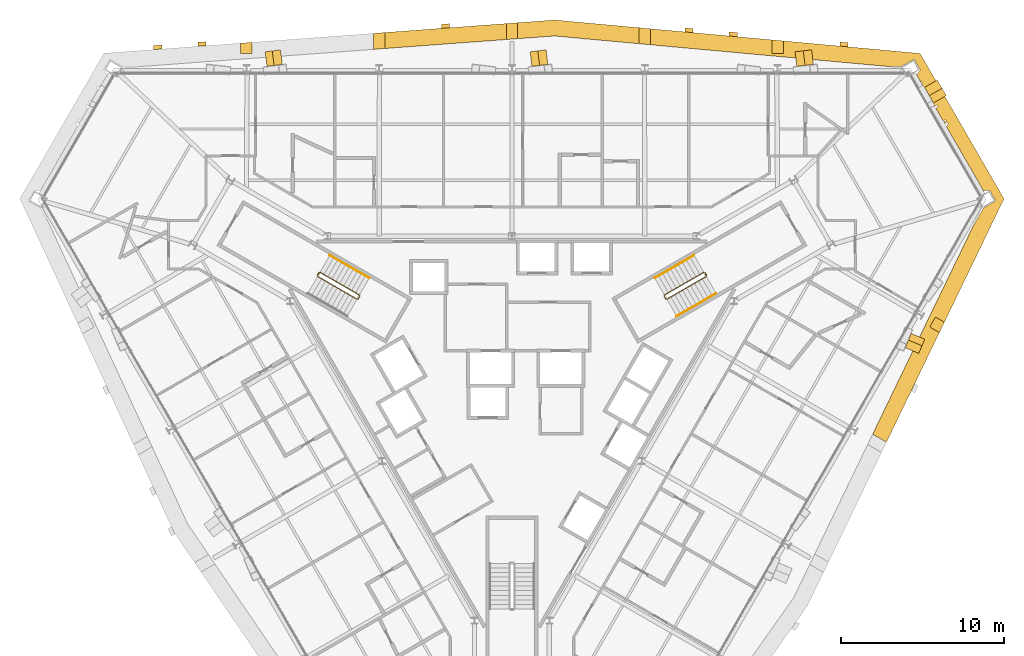
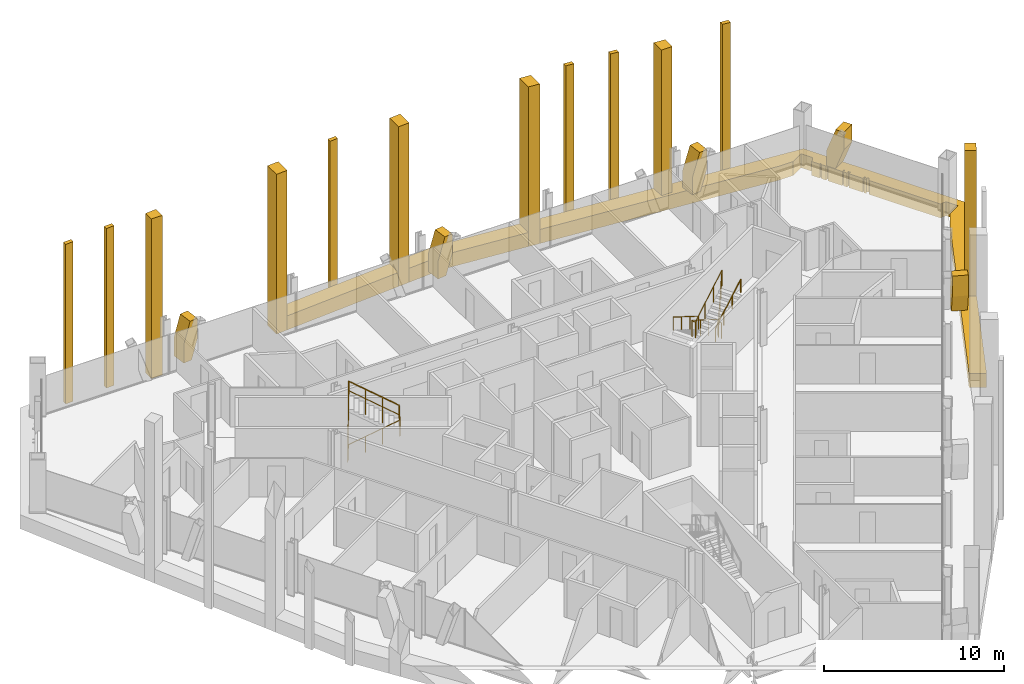
# One storey, part 19 of 19: 20 coverings, 5 railings.
"""IFC4 building model written with IfcOpenShell, lengths in metres."""

from ifc_helpers import new_model, si_unit, direction, frame, origin, origin_2d, place, context, subcontext, project, spatial, polyline, circle, outline, extrude, material, layer, layer_set, type_object, element, save


model = new_model("IFC4")

# Units and contexts
model_context = context("Model", 3, precision=1e-05, world=origin(), true_north=direction((0.0, 1.0)))
body_context = subcontext(model_context, "Body", "Model", "MODEL_VIEW")
ifc_project = project(units=[si_unit("LENGTHUNIT", "METRE"), si_unit("AREAUNIT", "SQUARE_METRE"), si_unit("VOLUMEUNIT", "CUBIC_METRE"), si_unit("PLANEANGLEUNIT", "RADIAN"), si_unit("MASSUNIT", "GRAM", prefix="KILO")], contexts=[model_context])

# Site, building, storey
site_placement = place(None, origin())
site = spatial("IfcSite", under=ifc_project, at=site_placement, CompositionType="ELEMENT")
building_placement = place(site_placement, origin())
building = spatial("IfcBuilding", under=site, at=building_placement, Name="Verrane Prism Tower", CompositionType="ELEMENT")
storey_placement = place(building_placement, frame((0.0, 0.0, 121.60009765625)))
storey = spatial("IfcBuildingStorey", under=building, at=storey_placement, Name="L29", CompositionType="ELEMENT", Elevation=121.60009765625)

# Railings
ifc_material_1 = material(Name="Steel A36 rail and posts, no infill", Category="steel")
railing_type_1 = type_object("IfcRailingType", Name="Stair guard 1100 steel rail and posts", PredefinedType="GUARDRAIL", material=ifc_material_1)
railing_1_placement = place(storey_placement, frame((11.78955078125, 6.97998046875, 0.16357421875)))
element("IfcRailing", 1, at=railing_1_placement, inside=storey, type_object=railing_type_1, Name="Stair 1 guard", PredefinedType="GUARDRAIL", context=body_context, shape_type="SweptSolid", body=[
    extrude(circle(Radius=0.02392578125, at=origin_2d()), frame((0.0, 0.0, 1.076171875), z_axis=(-0.747693913401, -0.431738279637, 0.504535300807), x_axis=(0.500049511043, -0.865996816683, 0.0)), (0.0, 0.0, 1.0), 3.2431640625),
    extrude(circle(Radius=0.02392578125, at=origin_2d()), frame((-2.4248046875, -1.400146484375, 2.71240234375), z_axis=(-0.259601060869, -0.965715946433, 0.0), x_axis=(0.965715946433, -0.259601060869, 0.0)), (0.0, 0.0, 1.0), 0.070556640625),
    extrude(circle(Radius=0.02392578125, at=origin_2d()), frame((-2.443115234375, -1.46826171875, 2.71240234375), z_axis=(0.499158860599, -0.866510491504, 0.0), x_axis=(0.866510491504, 0.499158860599, 0.0)), (0.0, 0.0, 1.0), 0.199951171875),
    extrude(circle(Radius=0.02392578125, at=origin_2d()), frame((-2.34326171875, -1.6416015625, 2.71240234375), z_axis=(0.383070988865, -0.102608300589, 0.918002262601), x_axis=(0.258736085224, 0.965948051503, 0.0)), (0.0, 0.0, 1.0), 0.178466796875),
    extrude(circle(Radius=0.02392578125, at=origin_2d()), frame((-2.27490234375, -1.659912109375, 2.8759765625), z_axis=(0.747693913401, 0.431738279637, 0.504535300807), x_axis=(-0.500049511043, 0.865996816683, 0.0)), (0.0, 0.0, 1.0), 3.2431640625),
    extrude(circle(Radius=0.02392578125, at=origin_2d()), frame((0.14990234375, -0.259765625, 4.51220703125), z_axis=(-0.022595193939, 0.066906128161, -0.9975033971), x_axis=(-0.947430582667, -0.3199613899, 0.0)), (0.0, 0.0, 1.0), 3.60888671875),
    extrude(circle(Radius=0.02392578125, at=origin_2d()), frame((0.068359375, -0.018310546875, 0.91259765625), z_axis=(0.499158860599, -0.866510491504, 0.0), x_axis=(0.866510491504, 0.499158860599, 0.0)), (0.0, 0.0, 1.0), 0.199951171875),
    extrude(circle(Radius=0.02099609375, at=origin_2d()), origin(), (0.0, 0.0, 1.0), 1.052001953125),
    extrude(circle(Radius=0.02099609375, at=origin_2d()), frame((-0.808349609375, -0.466796875, 0.54541015625)), (0.0, 0.0, 1.0), 1.052001953125),
    extrude(circle(Radius=0.02099609375, at=origin_2d()), frame((-1.616455078125, -0.933349609375, 1.0908203125)), (0.0, 0.0, 1.0), 1.052001953125),
    extrude(circle(Radius=0.02099609375, at=origin_2d()), frame((-2.4248046875, -1.400146484375, 1.63623046875)), (0.0, 0.0, 1.0), 1.052001953125),
    extrude(circle(Radius=0.02099609375, at=origin_2d()), frame((-2.443115234375, -1.46826171875, 1.63623046875)), (0.0, 0.0, 1.0), 1.052001953125),
    extrude(circle(Radius=0.02099609375, at=origin_2d()), frame((-2.34326171875, -1.6416015625, 1.63623046875)), (0.0, 0.0, 1.0), 1.052001953125),
    extrude(circle(Radius=0.02099609375, at=origin_2d()), frame((-2.27490234375, -1.659912109375, 1.800048828125)), (0.0, 0.0, 1.0), 1.052001953125),
    extrude(circle(Radius=0.02099609375, at=origin_2d()), frame((-1.466552734375, -1.193115234375, 2.345458984375)), (0.0, 0.0, 1.0), 1.052001953125),
    extrude(circle(Radius=0.02099609375, at=origin_2d()), frame((-0.658447265625, -0.7265625, 2.890869140625)), (0.0, 0.0, 1.0), 1.052001953125),
    extrude(circle(Radius=0.02099609375, at=origin_2d()), frame((0.14990234375, -0.259765625, 3.436279296875)), (0.0, 0.0, 1.0), 1.052001953125),
    extrude(circle(Radius=0.02099609375, at=origin_2d()), frame((0.12939453125, -0.199462890625, 2.536376953125)), (0.0, 0.0, 1.0), 1.052001953125),
    extrude(circle(Radius=0.02099609375, at=origin_2d()), frame((0.109130859375, -0.13916015625, 1.63623046875)), (0.0, 0.0, 1.0), 1.052001953125),
    extrude(circle(Radius=0.02099609375, at=origin_2d()), frame((0.0888671875, -0.07861328125, 0.736328125)), (0.0, 0.0, 1.0), 1.052001953125),
    extrude(circle(Radius=0.02099609375, at=origin_2d()), frame((0.068359375, -0.018310546875, -0.16357421875)), (0.0, 0.0, 1.0), 1.052001953125),
    extrude(circle(Radius=0.02099609375, at=origin_2d()), frame((0.168212890625, -0.191650390625, -0.16357421875)), (0.0, 0.0, 1.0), 1.052001953125),
])
railing_2_placement = place(storey_placement, frame((-11.939453125, 6.72021484375, 0.16357421875)))
element("IfcRailing", 2, at=railing_2_placement, inside=storey, type_object=railing_type_1, Name="Stair 2 guard", PredefinedType="GUARDRAIL", context=body_context, shape_type="SweptSolid", body=[
    extrude(circle(Radius=0.02392578125, at=origin_2d()), frame((0.0, 0.0, 1.076171875), z_axis=(0.747693913401, -0.431738279637, 0.504535300807), x_axis=(0.500049511043, 0.865996816683, 0.0)), (0.0, 0.0, 1.0), 3.2431640625),
    extrude(circle(Radius=0.02392578125, at=origin_2d()), frame((2.4248046875, -1.400146484375, 2.71240234375), z_axis=(0.965948051503, 0.258736085224, 0.0), x_axis=(-0.258736085224, 0.965948051503, 0.0)), (0.0, 0.0, 1.0), 0.07080078125),
    extrude(circle(Radius=0.02392578125, at=origin_2d()), frame((2.4931640625, -1.3818359375, 2.71240234375), z_axis=(0.499158860599, 0.866510491504, 0.0), x_axis=(-0.866510491504, 0.499158860599, 0.0)), (0.0, 0.0, 1.0), 0.199951171875),
    extrude(circle(Radius=0.02392578125, at=origin_2d()), frame((2.593017578125, -1.20849609375, 2.71240234375), z_axis=(-0.10266202204, 0.381902721988, 0.918482890515), x_axis=(-0.965715946433, -0.259601060869, 0.0)), (0.0, 0.0, 1.0), 0.178466796875),
    extrude(circle(Radius=0.02392578125, at=origin_2d()), frame((2.57470703125, -1.140380859375, 2.8759765625), z_axis=(-0.747693913401, 0.431738279637, 0.504535300807), x_axis=(-0.500049511043, -0.865996816683, 0.0)), (0.0, 0.0, 1.0), 3.2431640625),
    extrude(circle(Radius=0.02392578125, at=origin_2d()), frame((0.14990234375, 0.259765625, 4.51220703125), z_axis=(-0.046610908435, -0.053105316576, -0.997500500534), x_axis=(0.751567565678, -0.659656118156, 0.0)), (0.0, 0.0, 1.0), 3.60888671875),
    extrude(circle(Radius=0.02392578125, at=origin_2d()), frame((-0.018310546875, 0.068115234375, 0.91259765625), z_axis=(0.499158860599, 0.866510491504, 0.0), x_axis=(-0.866510491504, 0.499158860599, 0.0)), (0.0, 0.0, 1.0), 0.199951171875),
    extrude(circle(Radius=0.02099609375, at=origin_2d()), origin(), (0.0, 0.0, 1.0), 1.052001953125),
    extrude(circle(Radius=0.02099609375, at=origin_2d()), frame((0.808349609375, -0.466796875, 0.54541015625)), (0.0, 0.0, 1.0), 1.052001953125),
    extrude(circle(Radius=0.02099609375, at=origin_2d()), frame((1.616455078125, -0.933349609375, 1.0908203125)), (0.0, 0.0, 1.0), 1.052001953125),
    extrude(circle(Radius=0.02099609375, at=origin_2d()), frame((2.4248046875, -1.400146484375, 1.63623046875)), (0.0, 0.0, 1.0), 1.052001953125),
    extrude(circle(Radius=0.02099609375, at=origin_2d()), frame((2.4931640625, -1.3818359375, 1.63623046875)), (0.0, 0.0, 1.0), 1.052001953125),
    extrude(circle(Radius=0.02099609375, at=origin_2d()), frame((2.593017578125, -1.20849609375, 1.63623046875)), (0.0, 0.0, 1.0), 1.052001953125),
    extrude(circle(Radius=0.02099609375, at=origin_2d()), frame((2.57470703125, -1.140380859375, 1.800048828125)), (0.0, 0.0, 1.0), 1.052001953125),
    extrude(circle(Radius=0.02099609375, at=origin_2d()), frame((1.766357421875, -0.673583984375, 2.345458984375)), (0.0, 0.0, 1.0), 1.052001953125),
    extrude(circle(Radius=0.02099609375, at=origin_2d()), frame((0.958251953125, -0.20703125, 2.890869140625)), (0.0, 0.0, 1.0), 1.052001953125),
    extrude(circle(Radius=0.02099609375, at=origin_2d()), frame((0.14990234375, 0.259765625, 3.436279296875)), (0.0, 0.0, 1.0), 1.052001953125),
    extrude(circle(Radius=0.02099609375, at=origin_2d()), frame((0.10791015625, 0.2119140625, 2.536376953125)), (0.0, 0.0, 1.0), 1.052001953125),
    extrude(circle(Radius=0.02099609375, at=origin_2d()), frame((0.06591796875, 0.1640625, 1.63623046875)), (0.0, 0.0, 1.0), 1.052001953125),
    extrude(circle(Radius=0.02099609375, at=origin_2d()), frame((0.023681640625, 0.115966796875, 0.736328125)), (0.0, 0.0, 1.0), 1.052001953125),
    extrude(circle(Radius=0.02099609375, at=origin_2d()), frame((-0.018310546875, 0.068115234375, -0.16357421875)), (0.0, 0.0, 1.0), 1.052001953125),
    extrude(circle(Radius=0.02099609375, at=origin_2d()), frame((0.08154296875, 0.241455078125, -0.16357421875)), (0.0, 0.0, 1.0), 1.052001953125),
])
ifc_material_2 = material(Name="Steel A36 tube", Category="steel")
railing_type_2 = type_object("IfcRailingType", Name="Stair handrail 900 steel tube", PredefinedType="HANDRAIL", material=ifc_material_2)
railing_3_placement = place(storey_placement, frame((11.189453125, 8.01904296875, 0.16357421875)))
element("IfcRailing", 3, at=railing_3_placement, inside=storey, type_object=railing_type_2, Name="Stair 1 handrail", PredefinedType="HANDRAIL", context=body_context, shape_type="SweptSolid", body=[
    extrude(circle(Radius=0.02392578125, at=origin_2d()), frame((0.0, 0.0, 0.8759765625), z_axis=(-0.74771821388, -0.431677027627, 0.504551698492), x_axis=(0.49998411664, -0.866034573852, 0.0)), (0.0, 0.0, 1.0), 3.242919921875),
    extrude(circle(Radius=0.02099609375, at=origin_2d()), origin(), (0.0, 0.0, 1.0), 0.851806640625),
    extrude(circle(Radius=0.02099609375, at=origin_2d()), frame((-0.808349609375, -0.466552734375, 0.54541015625)), (0.0, 0.0, 1.0), 0.851806640625),
    extrude(circle(Radius=0.02099609375, at=origin_2d()), frame((-1.616455078125, -0.933349609375, 1.0908203125)), (0.0, 0.0, 1.0), 0.851806640625),
    extrude(circle(Radius=0.02099609375, at=origin_2d()), frame((-2.4248046875, -1.39990234375, 1.63623046875)), (0.0, 0.0, 1.0), 0.851806640625),
])
railing_4_placement = place(storey_placement, frame((10.11474609375, 4.28076171875, 1.963623046875)))
element("IfcRailing", 4, at=railing_4_placement, inside=storey, type_object=railing_type_2, Name="Stair 1 handrail", PredefinedType="HANDRAIL", context=body_context, shape_type="SweptSolid", body=[
    extrude(circle(Radius=0.02392578125, at=origin_2d()), frame((0.0, 0.0, 0.8759765625), z_axis=(0.747693913401, 0.431738279637, 0.504535300807), x_axis=(-0.500049511043, 0.865996816683, 0.0)), (0.0, 0.0, 1.0), 3.2431640625),
    extrude(circle(Radius=0.02099609375, at=origin_2d()), origin(), (0.0, 0.0, 1.0), 0.851806640625),
    extrude(circle(Radius=0.02099609375, at=origin_2d()), frame((0.808349609375, 0.466796875, 0.54541015625)), (0.0, 0.0, 1.0), 0.851806640625),
    extrude(circle(Radius=0.02099609375, at=origin_2d()), frame((1.616455078125, 0.933349609375, 1.0908203125)), (0.0, 0.0, 1.0), 0.851806640625),
    extrude(circle(Radius=0.02099609375, at=origin_2d()), frame((2.4248046875, 1.400146484375, 1.63623046875)), (0.0, 0.0, 1.0), 0.851806640625),
])
railing_5_placement = place(storey_placement, frame((-8.7646484375, 6.619140625, 1.963623046875)))
element("IfcRailing", 5, at=railing_5_placement, inside=storey, type_object=railing_type_2, Name="Stair 2 handrail", PredefinedType="HANDRAIL", context=body_context, shape_type="SweptSolid", body=[
    extrude(circle(Radius=0.02392578125, at=origin_2d()), frame((0.0, 0.0, 0.8759765625), z_axis=(-0.74771821388, 0.431677027627, 0.504551698492), x_axis=(-0.49998411664, -0.866034573852, 0.0)), (0.0, 0.0, 1.0), 3.242919921875),
    extrude(circle(Radius=0.02099609375, at=origin_2d()), origin(), (0.0, 0.0, 1.0), 0.851806640625),
    extrude(circle(Radius=0.02099609375, at=origin_2d()), frame((-0.808349609375, 0.466552734375, 0.54541015625)), (0.0, 0.0, 1.0), 0.851806640625),
    extrude(circle(Radius=0.02099609375, at=origin_2d()), frame((-1.616455078125, 0.933349609375, 1.0908203125)), (0.0, 0.0, 1.0), 0.851806640625),
    extrude(circle(Radius=0.02099609375, at=origin_2d()), frame((-2.4248046875, 1.39990234375, 1.63623046875)), (0.0, 0.0, 1.0), 0.851806640625),
])

# Coverings
ifc_material_3 = material(Name="Warm limestone cladding", Category="masonry")
ifc_layer_1 = layer(ifc_material_3, 0.89990234375)
ifc_layer_set_1 = layer_set([ifc_layer_1], Name="Stone brace fin 900")
covering_type_1 = type_object("IfcCoveringType", Name="Stone brace fin 900", PredefinedType="CLADDING", material=ifc_layer_set_1)
covering_1_placement = place(storey_placement, frame((17.44482421875, 20.070556640625, 0.0), z_axis=(0.0, 0.0, 1.0), x_axis=(0.993235150891, 0.116120347205, 0.0)))
element("IfcCovering", 6, at=covering_1_placement, inside=storey, type_object=covering_type_1, Name="Stone brace fin N1 L29", PredefinedType="CLADDING", context=body_context, shape_type="SweptSolid", body=[
    extrude(outline(polyline([(1.02197265625, 2.64990234375), (0.50732421875, 2.64990234375), (0.0, 1.15625), (0.0, 0.0), (0.5576171875, 0.0), (1.02197265625, 1.366455078125), (1.02197265625, 2.64990234375)])), frame((0.0, 0.449951171875, 0.0), z_axis=(0.0, -1.0, 0.0), x_axis=(1.0, 0.0, 0.0)), (0.0, 0.0, 1.0), 0.89990234375),
])
covering_2_placement = place(storey_placement, frame((1.173583984375, 20.0703125, 0.0), z_axis=(0.0, 0.0, 1.0), x_axis=(0.992703212987, 0.120583294554, 0.0)))
element("IfcCovering", 7, at=covering_2_placement, inside=storey, type_object=covering_type_1, Name="Stone brace fin N3 L29", PredefinedType="CLADDING", context=body_context, shape_type="SweptSolid", body=[
    extrude(outline(polyline([(0.984130859375, 2.64990234375), (0.472900390625, 2.64990234375), (0.0, 1.20458984375), (0.0, 0.0), (0.552734375, 0.0), (0.984130859375, 1.318115234375), (0.984130859375, 2.64990234375)])), frame((0.0, 0.449951171875, 0.0), z_axis=(0.0, -1.0, 0.0), x_axis=(1.0, 0.0, 0.0)), (0.0, 0.0, 1.0), 0.89990234375),
])
covering_3_placement = place(storey_placement, frame((-15.099365234375, 20.069580078125, 0.0), z_axis=(0.0, 0.0, 1.0), x_axis=(0.992049611871, 0.125847398015, 0.0)))
element("IfcCovering", 8, at=covering_3_placement, inside=storey, type_object=covering_type_1, Name="Stone brace fin N5 L29", PredefinedType="CLADDING", context=body_context, shape_type="SweptSolid", body=[
    extrude(outline(polyline([(0.94482421875, 2.64990234375), (0.4375, 2.64990234375), (0.0, 1.25732421875), (0.0, 0.0), (0.54736328125, 0.0), (0.94482421875, 1.265380859375), (0.94482421875, 2.64990234375)])), frame((0.0, 0.449951171875, 0.0), z_axis=(0.0, -1.0, 0.0), x_axis=(1.0, 0.0, 0.0)), (0.0, 0.0, 1.0), 0.89990234375),
])
covering_4_placement = place(storey_placement, frame((24.93603515625, 3.04150390625, 0.0), z_axis=(0.0, 0.0, 1.0), x_axis=(-0.387803046778, -0.921742261649, 0.0)))
element("IfcCovering", 9, at=covering_4_placement, inside=storey, type_object=covering_type_1, Name="Stone brace fin SE5 L29", PredefinedType="CLADDING", context=body_context, shape_type="SweptSolid", body=[
    extrude(outline(polyline([(0.94580078125, 2.64990234375), (0.437744140625, 2.64990234375), (0.0, 1.25732421875), (0.0, 0.0), (0.5478515625, 0.0), (0.94580078125, 1.265380859375), (0.94580078125, 2.64990234375)])), frame((0.0, 0.449951171875, 0.0), z_axis=(0.0, -1.0, 0.0), x_axis=(1.0, 0.0, 0.0)), (0.0, 0.0, 1.0), 0.89990234375),
])
covering_5_placement = place(storey_placement, frame((25.7314453125, 18.56005859375, 0.0), z_axis=(0.0, 0.0, 1.0), x_axis=(0.499817968067, -0.866130474465, 0.0)))
element("IfcCovering", 10, at=covering_5_placement, inside=storey, type_object=covering_type_1, Name="Stone brace fin NE1 L29", PredefinedType="CLADDING", context=body_context, shape_type="SweptSolid", body=[
    extrude(outline(polyline([(1.106201171875, 2.64990234375), (0.5869140625, 2.64990234375), (0.0, 1.056640625), (0.0, 0.0), (0.56982421875, 0.0), (1.106201171875, 1.4560546875), (1.106201171875, 2.64990234375)])), frame((0.0, 0.449951171875, 0.0), z_axis=(0.0, -1.0, 0.0), x_axis=(1.0, 0.0, 0.0)), (0.0, 0.0, 1.0), 0.89990234375),
])
ifc_material_4 = material(Name="Warm limestone cladding", Category="masonry")
covering_type_2 = type_object("IfcCoveringType", Name="Stone mullion pier 500", PredefinedType="CLADDING", material=ifc_material_4)
covering_6_placement = place(storey_placement, frame((0.0, 0.0, -0.9501953125)))
element("IfcCovering", 11, at=covering_6_placement, inside=storey, type_object=covering_type_2, Name="Stone pier SM-N0.1 L29-L31", PredefinedType="CLADDING", context=body_context, shape_type="SweptSolid", body=[
    extrude(outline(polyline([(20.14306640625, 20.8681640625), (20.64306640625, 20.822509765625), (20.64306640625, 21.073486328125), (20.14306640625, 21.119140625), (20.14306640625, 20.8681640625)])), origin(), (0.0, 0.0, 1.0), 10.800048828125),
])
covering_7_placement = place(storey_placement, frame((0.0, 0.0, -0.9501953125)))
element("IfcCovering", 12, at=covering_7_placement, inside=storey, type_object=covering_type_2, Name="Stone pier SM-N1.1 L29-L31", PredefinedType="CLADDING", context=body_context, shape_type="SweptSolid", body=[
    extrude(outline(polyline([(13.345458984375, 21.489990234375), (13.845458984375, 21.4443359375), (13.845458984375, 21.6953125), (13.345458984375, 21.7412109375), (13.345458984375, 21.489990234375)])), origin(), (0.0, 0.0, 1.0), 10.800048828125),
])
covering_8_placement = place(storey_placement, frame((0.0, 0.0, -0.9501953125)))
element("IfcCovering", 13, at=covering_8_placement, inside=storey, type_object=covering_type_2, Name="Stone pier SM-N1.2 L29-L31", PredefinedType="CLADDING", context=body_context, shape_type="SweptSolid", body=[
    extrude(outline(polyline([(10.626220703125, 21.73876953125), (11.126220703125, 21.693115234375), (11.126220703125, 21.944091796875), (10.626220703125, 21.989990234375), (10.626220703125, 21.73876953125)])), origin(), (0.0, 0.0, 1.0), 10.800048828125),
])
covering_9_placement = place(storey_placement, frame((0.0, 0.0, -0.9501953125)))
element("IfcCovering", 14, at=covering_9_placement, inside=storey, type_object=covering_type_2, Name="Stone pier SM-N3.1 L29-L31", PredefinedType="CLADDING", context=body_context, shape_type="SweptSolid", body=[
    extrude(outline(polyline([(-4.32861328125, 21.958251953125), (-3.82861328125, 21.995361328125), (-3.82861328125, 22.245849609375), (-4.32861328125, 22.208984375), (-4.32861328125, 21.958251953125)])), origin(), (0.0, 0.0, 1.0), 10.800048828125),
])
covering_10_placement = place(storey_placement, frame((0.0, 0.0, -0.9501953125)))
element("IfcCovering", 15, at=covering_10_placement, inside=storey, type_object=covering_type_2, Name="Stone pier SM-N5.1 L29-L31", PredefinedType="CLADDING", context=body_context, shape_type="SweptSolid", body=[
    extrude(outline(polyline([(-19.283447265625, 20.85400390625), (-18.783447265625, 20.890869140625), (-18.783447265625, 21.1416015625), (-19.283447265625, 21.1044921875), (-19.283447265625, 20.85400390625)])), origin(), (0.0, 0.0, 1.0), 10.800048828125),
])
covering_11_placement = place(storey_placement, frame((0.0, 0.0, -0.9501953125)))
element("IfcCovering", 16, at=covering_11_placement, inside=storey, type_object=covering_type_2, Name="Stone pier SM-N5.2 L29-L31", PredefinedType="CLADDING", context=body_context, shape_type="SweptSolid", body=[
    extrude(outline(polyline([(-22.002685546875, 20.653076171875), (-21.502685546875, 20.68994140625), (-21.502685546875, 20.940673828125), (-22.002685546875, 20.90380859375), (-22.002685546875, 20.653076171875)])), origin(), (0.0, 0.0, 1.0), 10.800048828125),
])
ifc_material_5 = material(Name="Warm limestone cladding", Category="masonry")
covering_type_3 = type_object("IfcCoveringType", Name="Stone pier 700", PredefinedType="CLADDING", material=ifc_material_5)
covering_12_placement = place(storey_placement, frame((0.0, 0.0, -0.9501953125)))
element("IfcCovering", 17, at=covering_12_placement, inside=storey, type_object=covering_type_3, Name="Stone pier PC-N1 L29-L31", PredefinedType="CLADDING", context=body_context, shape_type="SweptSolid", body=[
    extrude(outline(polyline([(15.964599609375, 20.409912109375), (16.66455078125, 20.409912109375), (16.66455078125, 21.186279296875), (15.964599609375, 21.25048828125), (15.964599609375, 20.409912109375)])), origin(), (0.0, 0.0, 1.0), 10.800048828125),
])
covering_13_placement = place(storey_placement, frame((0.0, 0.0, -0.9501953125)))
element("IfcCovering", 18, at=covering_13_placement, inside=storey, type_object=covering_type_3, Name="Stone pier PC-N2 L29-L31", PredefinedType="CLADDING", context=body_context, shape_type="SweptSolid", body=[
    extrude(outline(polyline([(7.80712890625, 21.99658203125), (7.80712890625, 21.0146484375), (8.507080078125, 20.950439453125), (8.507080078125, 21.9326171875), (7.80712890625, 21.99658203125)])), origin(), (0.0, 0.0, 1.0), 10.800048828125),
])
covering_14_placement = place(storey_placement, frame((0.0, 0.0, -0.9501953125)))
element("IfcCovering", 19, at=covering_14_placement, inside=storey, type_object=covering_type_3, Name="Stone pier PC-N3 L29-L31", PredefinedType="CLADDING", context=body_context, shape_type="SweptSolid", body=[
    extrude(outline(polyline([(-0.35009765625, 22.252197265625), (-0.35009765625, 21.271484375), (0.35009765625, 21.322998046875), (0.35009765625, 22.3037109375), (-0.35009765625, 22.252197265625)])), origin(), (0.0, 0.0, 1.0), 10.800048828125),
])
covering_15_placement = place(storey_placement, frame((0.0, 0.0, -0.9501953125)))
element("IfcCovering", 20, at=covering_15_placement, inside=storey, type_object=covering_type_3, Name="Stone pier PC-N4 L29-L31", PredefinedType="CLADDING", context=body_context, shape_type="SweptSolid", body=[
    extrude(outline(polyline([(-8.507080078125, 21.649658203125), (-8.507080078125, 20.6689453125), (-7.80712890625, 20.720703125), (-7.80712890625, 21.701416015625), (-8.507080078125, 21.649658203125)])), origin(), (0.0, 0.0, 1.0), 10.800048828125),
])
covering_16_placement = place(storey_placement, frame((0.0, 0.0, -0.9501953125)))
element("IfcCovering", 21, at=covering_16_placement, inside=storey, type_object=covering_type_3, Name="Stone pier PC-N5 L29-L31", PredefinedType="CLADDING", context=body_context, shape_type="SweptSolid", body=[
    extrude(outline(polyline([(-16.66455078125, 20.409912109375), (-15.964599609375, 20.409912109375), (-15.964599609375, 21.09912109375), (-16.66455078125, 21.04736328125), (-16.66455078125, 20.409912109375)])), origin(), (0.0, 0.0, 1.0), 10.800048828125),
])
covering_17_placement = place(storey_placement, frame((0.0, 0.0, -0.9501953125)))
element("IfcCovering", 22, at=covering_17_placement, inside=storey, type_object=covering_type_3, Name="Stone pier PC-SE5 L29-L31", PredefinedType="CLADDING", context=body_context, shape_type="SweptSolid", body=[
    extrude(outline(polyline([(26.008544921875, 4.226318359375), (25.65869140625, 3.6201171875), (26.25439453125, 3.276123046875), (26.559814453125, 3.908203125), (26.008544921875, 4.226318359375)])), origin(), (0.0, 0.0, 1.0), 10.800048828125),
])
ifc_material_6 = material(Name="Warm limestone cladding", Category="masonry")
ifc_layer_2 = layer(ifc_material_6, 0.449951171875)
ifc_layer_set_2 = layer_set([ifc_layer_2], Name="Stone spandrel band 450")
covering_type_4 = type_object("IfcCoveringType", Name="Stone spandrel band 450", PredefinedType="CLADDING", material=ifc_layer_set_2)
covering_18_placement = place(storey_placement, frame((0.0, 0.0, -0.9501953125)))
element("IfcCovering", 23, at=covering_18_placement, inside=storey, type_object=covering_type_4, Name="Stone spandrel band L29 part 1", PredefinedType="CLADDING", context=body_context, shape_type="SweptSolid", body=[
    extrude(outline(polyline([(8.507080078125, 20.950439453125), (23.01416015625, 19.623291015625), (23.94091796875, 19.623291015625), (24.69580078125, 20.05908203125), (25.07568359375, 19.40087890625), (25.056884765625, 19.389892578125), (24.945556640625, 19.195556640625), (24.833251953125, 19.130615234375), (25.1064453125, 18.6572265625), (25.1259765625, 18.714111328125), (25.1923828125, 18.691162109375), (25.153076171875, 18.57666015625), (25.3046875, 18.313720703125), (25.447509765625, 18.396240234375), (25.51123046875, 18.2861328125), (25.368408203125, 18.20361328125), (25.819580078125, 17.422119140625), (25.96240234375, 17.50439453125), (26.00048828125, 17.43798828125), (25.85791015625, 17.355712890625), (25.968017578125, 17.165283203125), (26.110595703125, 17.24755859375), (26.174072265625, 17.137451171875), (26.031494140625, 17.05517578125), (26.482666015625, 16.273681640625), (26.625, 16.355712890625), (26.663330078125, 16.289306640625), (26.52099609375, 16.207275390625), (26.59228515625, 16.083984375), (26.66015625, 16.2080078125), (26.79638671875, 16.13330078125), (26.68310546875, 15.926513671875), (28.982666015625, 11.943603515625), (29.094482421875, 12.008056640625), (29.316650390625, 12.008056640625), (29.335693359375, 12.01904296875), (29.7158203125, 11.36083984375), (28.9697265625, 10.93017578125), (28.327392578125, 9.817626953125), (27.138671875, 7.35595703125), (27.140380859375, 7.353515625), (27.1357421875, 7.350341796875), (22.153564453125, -2.967041015625), (23.0029296875, -3.457275390625), (26.25439453125, 3.276123046875), (25.65869140625, 3.6201171875), (26.008544921875, 4.226318359375), (26.559814453125, 3.908203125), (30.220703125, 11.489013671875), (25.0654296875, 20.41796875), (16.66455078125, 21.186279296875), (16.66455078125, 20.409912109375), (15.964599609375, 20.409912109375), (15.964599609375, 21.25048828125), (8.507080078125, 21.9326171875), (8.507080078125, 20.950439453125)])), origin(), (0.0, 0.0, 1.0), 0.9501953125),
])
covering_19_placement = place(storey_placement, frame((0.0, 0.0, -0.9501953125)))
element("IfcCovering", 24, at=covering_19_placement, inside=storey, type_object=covering_type_4, Name="Stone spandrel band L29 part 8", PredefinedType="CLADDING", context=body_context, shape_type="SweptSolid", body=[
    extrude(outline(polyline([(0.35009765625, 22.3037109375), (0.35009765625, 21.322998046875), (2.6103515625, 21.489990234375), (7.80712890625, 21.0146484375), (7.80712890625, 21.99658203125), (2.618896484375, 22.471435546875), (0.35009765625, 22.3037109375)])), origin(), (0.0, 0.0, 1.0), 0.9501953125),
])
covering_20_placement = place(storey_placement, frame((0.0, 0.0, -0.9501953125)))
element("IfcCovering", 25, at=covering_20_placement, inside=storey, type_object=covering_type_4, Name="Stone spandrel band L29 part 9", PredefinedType="CLADDING", context=body_context, shape_type="SweptSolid", body=[
    extrude(outline(polyline([(-7.80712890625, 20.720703125), (-0.35009765625, 21.271484375), (-0.35009765625, 22.252197265625), (-7.80712890625, 21.701416015625), (-7.80712890625, 20.720703125)])), origin(), (0.0, 0.0, 1.0), 0.9501953125),
])

save(model, "model.ifc")
